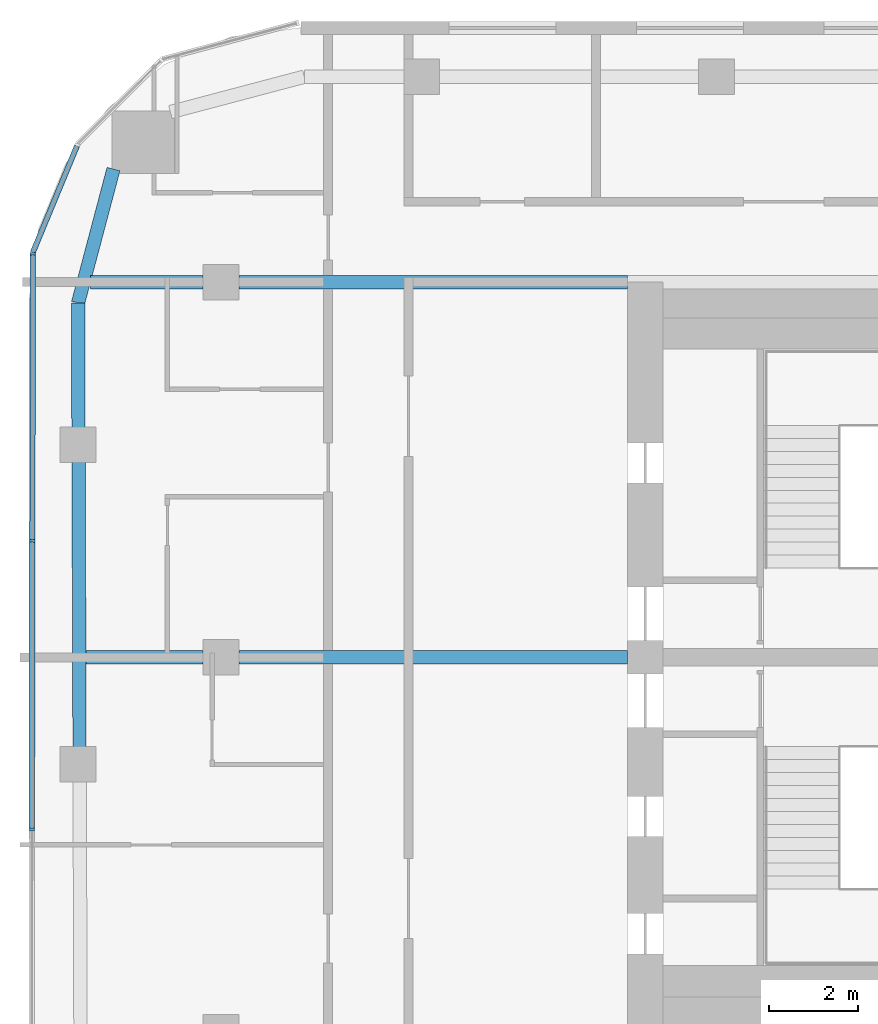
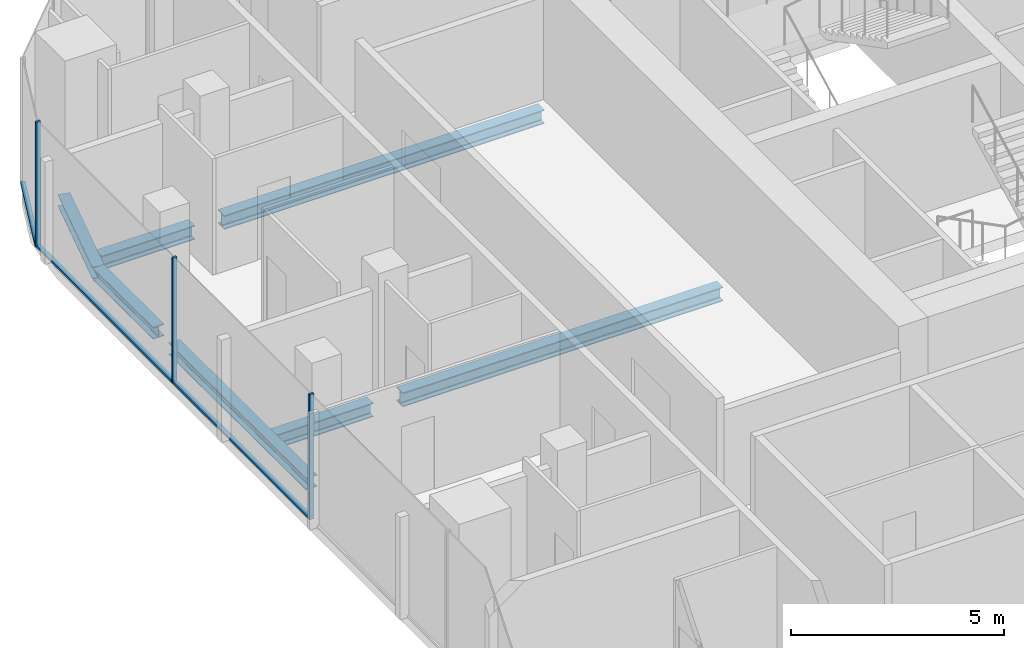
# One storey, part 8 of 22: 7 beams, 6 members, 2 elements without a shape of their own.
"""IFC4 building model written with IfcOpenShell, lengths in metres."""

from ifc_helpers import new_model, si_unit, direction, frame, origin, origin_2d, place, context, subcontext, project, spatial, rectangle, i_section, extrude, material, layer, layer_set, material_profile, profile_set, type_object, element, aggregate, save


model = new_model("IFC4")

# Units and contexts
model_context = context("Model", 3, precision=1e-05, world=origin(), true_north=direction((0.0, 1.0)))
body_context = subcontext(model_context, "Body", "Model", "MODEL_VIEW")
ifc_project = project(units=[si_unit("LENGTHUNIT", "METRE"), si_unit("AREAUNIT", "SQUARE_METRE"), si_unit("VOLUMEUNIT", "CUBIC_METRE"), si_unit("PLANEANGLEUNIT", "RADIAN"), si_unit("MASSUNIT", "GRAM", prefix="KILO")], contexts=[model_context])

# Site, building, storey
site_placement = place(None, origin())
site = spatial("IfcSite", under=ifc_project, at=site_placement, CompositionType="ELEMENT")
building_placement = place(site_placement, origin())
building = spatial("IfcBuilding", under=site, at=building_placement, Name="Marenta Gate Hotel Tower", CompositionType="ELEMENT")
storey_placement = place(building_placement, frame((0.0, 0.0, 209.300048828125)))
storey = spatial("IfcBuildingStorey", under=building, at=storey_placement, Name="L48", CompositionType="ELEMENT", Elevation=209.300048828125)

# Beams
ifc_material_1 = material(Name="Steel S355", Category="steel")
ifc_material_profile_1 = material_profile(ifc_material_1, i_section(OverallWidth=0.300048828125, OverallDepth=0.340087890625, WebThickness=0.011962890625, FlangeThickness=0.021484375, FilletRadius=0.027099609375, at=origin_2d()), Name="HEB 340")
ifc_profile_set_1 = profile_set([ifc_material_profile_1], Name="Steel S355")
beam_type_1 = type_object("IfcBeamType", Name="Edge beam HEB 340", PredefinedType="SPANDREL", material=ifc_profile_set_1)
beam_1_placement = place(storey_placement, frame((-24.166748046875, 6.36328125, -0.429931640625), z_axis=(-0.00333963982, 0.999994423387, 0.0), x_axis=(-0.999994423387, -0.00333963982, 0.0)))
element("IfcBeam", 1, at=beam_1_placement, inside=storey, type_object=beam_type_1, Name="L48-EB-9", PredefinedType="SPANDREL", context=body_context, shape_type="SweptSolid", body=[
    extrude(i_section(OverallWidth=0.300048828125, OverallDepth=0.340087890625, WebThickness=0.011962890625, FlangeThickness=0.021484375, FilletRadius=0.027099609375, at=origin_2d()), origin(), (0.0, 0.0, 1.0), 6.43310546875),
])
beam_2_placement = place(storey_placement, frame((-24.190673828125, 13.516357421875, -0.429931640625), z_axis=(-0.003292020626, 0.999994581285, 0.0), x_axis=(-0.999994581285, -0.003292020626, 0.0)))
element("IfcBeam", 2, at=beam_2_placement, inside=storey, type_object=beam_type_1, Name="L48-EB-10", PredefinedType="SPANDREL", context=body_context, shape_type="SweptSolid", body=[
    extrude(i_section(OverallWidth=0.300048828125, OverallDepth=0.340087890625, WebThickness=0.011962890625, FlangeThickness=0.021484375, FilletRadius=0.027099609375, at=origin_2d()), origin(), (0.0, 0.0, 1.0), 2.818115234375),
])
beam_3_placement = place(storey_placement, frame((-24.199951171875, 16.33447265625, -0.429931640625), z_axis=(0.255648013319, 0.966769927794, 0.0), x_axis=(-0.966769927794, 0.255648013319, 0.0)))
element("IfcBeam", 3, at=beam_3_placement, inside=storey, type_object=beam_type_1, Name="L48-EB-11", PredefinedType="SPANDREL", context=body_context, shape_type="SweptSolid", body=[
    extrude(i_section(OverallWidth=0.300048828125, OverallDepth=0.340087890625, WebThickness=0.011962890625, FlangeThickness=0.021484375, FilletRadius=0.027099609375, at=origin_2d()), origin(), (0.0, 0.0, 1.0), 3.100830078125),
])
ifc_material_2 = material(Name="Steel S355", Category="steel")
ifc_material_profile_2 = material_profile(ifc_material_2, i_section(OverallWidth=0.300048828125, OverallDepth=0.39990234375, WebThickness=0.013427734375, FlangeThickness=0.02392578125, FilletRadius=0.027099609375, at=origin_2d()), Name="HEB 400")
ifc_profile_set_2 = profile_set([ifc_material_profile_2], Name="Steel S355")
beam_type_2 = type_object("IfcBeamType", Name="Girder HEB 400", PredefinedType="BEAM", material=ifc_profile_set_2)
beam_4_placement = place(storey_placement, frame((-24.023681640625, 8.39990234375, -0.4599609375), z_axis=(1.0, 0.0, 0.0), x_axis=(0.0, 1.0, 0.0)))
element("IfcBeam", 4, at=beam_4_placement, inside=storey, type_object=beam_type_2, Name="L48-GD-25", PredefinedType="BEAM", context=body_context, shape_type="SweptSolid", body=[
    extrude(i_section(OverallWidth=0.300048828125, OverallDepth=0.39990234375, WebThickness=0.013427734375, FlangeThickness=0.02392578125, FilletRadius=0.027099609375, at=origin_2d()), origin(), (0.0, 0.0, 1.0), 2.623779296875),
])
beam_5_placement = place(storey_placement, frame((-20.60009765625, 8.39990234375, -0.4599609375), z_axis=(1.0, 0.0, 0.0), x_axis=(0.0, 1.0, 0.0)))
element("IfcBeam", 5, at=beam_5_placement, inside=storey, type_object=beam_type_2, Name="L48-GD-26", PredefinedType="BEAM", context=body_context, shape_type="SweptSolid", body=[
    extrude(i_section(OverallWidth=0.300048828125, OverallDepth=0.39990234375, WebThickness=0.013427734375, FlangeThickness=0.02392578125, FilletRadius=0.027099609375, at=origin_2d()), origin(), (0.0, 0.0, 1.0), 8.7001953125),
])
beam_6_placement = place(storey_placement, frame((-23.921630859375, 16.800048828125, -0.4599609375), z_axis=(1.0, 0.0, 0.0), x_axis=(0.0, 1.0, 0.0)))
element("IfcBeam", 6, at=beam_6_placement, inside=storey, type_object=beam_type_2, Name="L48-GD-29", PredefinedType="BEAM", context=body_context, shape_type="SweptSolid", body=[
    extrude(i_section(OverallWidth=0.300048828125, OverallDepth=0.39990234375, WebThickness=0.013427734375, FlangeThickness=0.02392578125, FilletRadius=0.027099609375, at=origin_2d()), origin(), (0.0, 0.0, 1.0), 2.521728515625),
])
beam_7_placement = place(storey_placement, frame((-20.60009765625, 16.800048828125, -0.4599609375), z_axis=(1.0, 0.0, 0.0), x_axis=(0.0, 1.0, 0.0)))
element("IfcBeam", 7, at=beam_7_placement, inside=storey, type_object=beam_type_2, Name="L48-GD-30", PredefinedType="BEAM", context=body_context, shape_type="SweptSolid", body=[
    extrude(i_section(OverallWidth=0.300048828125, OverallDepth=0.39990234375, WebThickness=0.013427734375, FlangeThickness=0.02392578125, FilletRadius=0.027099609375, at=origin_2d()), origin(), (0.0, 0.0, 1.0), 8.7001953125),
])

# Curtain wall, members
ifc_material_3 = material(Name="Tinted insulated glass in bronze anodised frame", Category="glass")
ifc_layer = layer(ifc_material_3, 0.1201171875)
ifc_layer_set = layer_set([ifc_layer], Name="Tinted insulated glass in bronze anodised frame")
curtain_wall_type = type_object("IfcCurtainWallType", Name="Tower unitised curtain wall CW1", PredefinedType="NOTDEFINED", material=ifc_layer_set)
curtain_wall_1_placement = place(storey_placement, origin())
curtain_wall_1 = element("IfcCurtainWall", 8, at=curtain_wall_1_placement, inside=storey, type_object=curtain_wall_type, Name="CW1 run G03", PredefinedType="NOTDEFINED")
ifc_material_4 = material(Name="Bronze anodised aluminium", Category="aluminium")
ifc_material_profile_3 = material_profile(ifc_material_4, rectangle(XDim=0.1201171875, YDim=0.06005859375, at=origin_2d()), Name="Mullion CW1 60x120 bronze anodised aluminium")
ifc_profile_set_3 = profile_set([ifc_material_profile_3], Name="Bronze anodised aluminium")
member_type_1 = type_object("IfcMemberType", Name="Mullion CW1 60x120 bronze anodised aluminium", PredefinedType="MULLION", material=ifc_profile_set_3)
member_1_placement = place(storey_placement, frame((-25.21240234375, 17.436279296875, 0.0), z_axis=(0.0, 0.0, 1.0), x_axis=(0.99999877375, -0.001566045546, 0.0)))
member_1 = element("IfcMember", 9, at=member_1_placement, type_object=member_type_1, Name="CW1 mullion 1", PredefinedType="MULLION", context=body_context, shape_type="SweptSolid", body=[
    extrude(rectangle(XDim=0.1201171875, YDim=0.06005859375, at=origin_2d()), origin(), (0.0, 0.0, 1.0), 3.599853515625),
])
member_2_placement = place(storey_placement, frame((-25.222412109375, 11.006103515625, 0.0), z_axis=(0.0, 0.0, 1.0), x_axis=(0.99999877375, -0.001566045546, 0.0)))
member_2 = element("IfcMember", 10, at=member_2_placement, type_object=member_type_1, Name="CW1 mullion 2", PredefinedType="MULLION", context=body_context, shape_type="SweptSolid", body=[
    extrude(rectangle(XDim=0.1201171875, YDim=0.06005859375, at=origin_2d()), origin(), (0.0, 0.0, 1.0), 3.599853515625),
])
member_3_placement = place(storey_placement, frame((-25.232421875, 4.546142578125, 0.0), z_axis=(0.0, 0.0, 1.0), x_axis=(0.99999877375, -0.001566045546, 0.0)))
member_3 = element("IfcMember", 11, at=member_3_placement, type_object=member_type_1, Name="CW1 mullion 3", PredefinedType="MULLION", context=body_context, shape_type="SweptSolid", body=[
    extrude(rectangle(XDim=0.1201171875, YDim=0.06005859375, at=origin_2d()), origin(), (0.0, 0.0, 1.0), 3.599853515625),
])

# Curtain wall, member
curtain_wall_2_placement = place(storey_placement, origin())
curtain_wall_2 = element("IfcCurtainWall", 12, at=curtain_wall_2_placement, inside=storey, type_object=curtain_wall_type, Name="CW1 run G02", PredefinedType="NOTDEFINED")
ifc_material_5 = material(Name="Bronze anodised aluminium", Category="aluminium")
ifc_material_profile_4 = material_profile(ifc_material_5, rectangle(XDim=0.1201171875, YDim=0.06005859375, at=origin_2d()), Name="Transom CW1 60x120 bronze anodised aluminium")
ifc_profile_set_4 = profile_set([ifc_material_profile_4], Name="Bronze anodised aluminium")
member_type_2 = type_object("IfcMemberType", Name="Transom CW1 60x120 bronze anodised aluminium", PredefinedType="USERDEFINED", material=ifc_profile_set_4)
member_4_placement = place(storey_placement, frame((-24.2265625, 19.845947265625, 0.030029296875), z_axis=(-0.382736860682, -0.923857399968, 0.0), x_axis=(0.923857399968, -0.382736860682, 0.0)))
member_4 = element("IfcMember", 13, at=member_4_placement, type_object=member_type_2, Name="CW1 transom 1.1", ObjectType="TRANSOM", PredefinedType="USERDEFINED", context=body_context, shape_type="SweptSolid", body=[
    extrude(rectangle(XDim=0.1201171875, YDim=0.06005859375, at=origin_2d()), origin(), (0.0, 0.0, 1.0), 2.57568359375),
])
aggregate(curtain_wall_2, [member_4])

# Member
member_5_placement = place(storey_placement, frame((-25.21240234375, 17.40625, 0.030029296875), z_axis=(-0.00157136093, -0.999998765412, 0.0), x_axis=(0.999998765412, -0.00157136093, 0.0)))
member_5 = element("IfcMember", 14, at=member_5_placement, type_object=member_type_2, Name="CW1 transom 1.1", ObjectType="TRANSOM", PredefinedType="USERDEFINED", context=body_context, shape_type="SweptSolid", body=[
    extrude(rectangle(XDim=0.1201171875, YDim=0.06005859375, at=origin_2d()), origin(), (0.0, 0.0, 1.0), 6.3701171875),
])

member_6_placement = place(storey_placement, frame((-25.222412109375, 10.976318359375, 0.030029296875), z_axis=(-0.001563988169, -0.99999877697, 0.0), x_axis=(0.99999877697, -0.001563988169, 0.0)))
member_6 = element("IfcMember", 15, at=member_6_placement, type_object=member_type_2, Name="CW1 transom 2.1", ObjectType="TRANSOM", PredefinedType="USERDEFINED", context=body_context, shape_type="SweptSolid", body=[
    extrude(rectangle(XDim=0.1201171875, YDim=0.06005859375, at=origin_2d()), origin(), (0.0, 0.0, 1.0), 6.400146484375),
])

aggregate(curtain_wall_1, [member_1, member_2, member_3, member_5, member_6])

save(model, "model.ifc")
